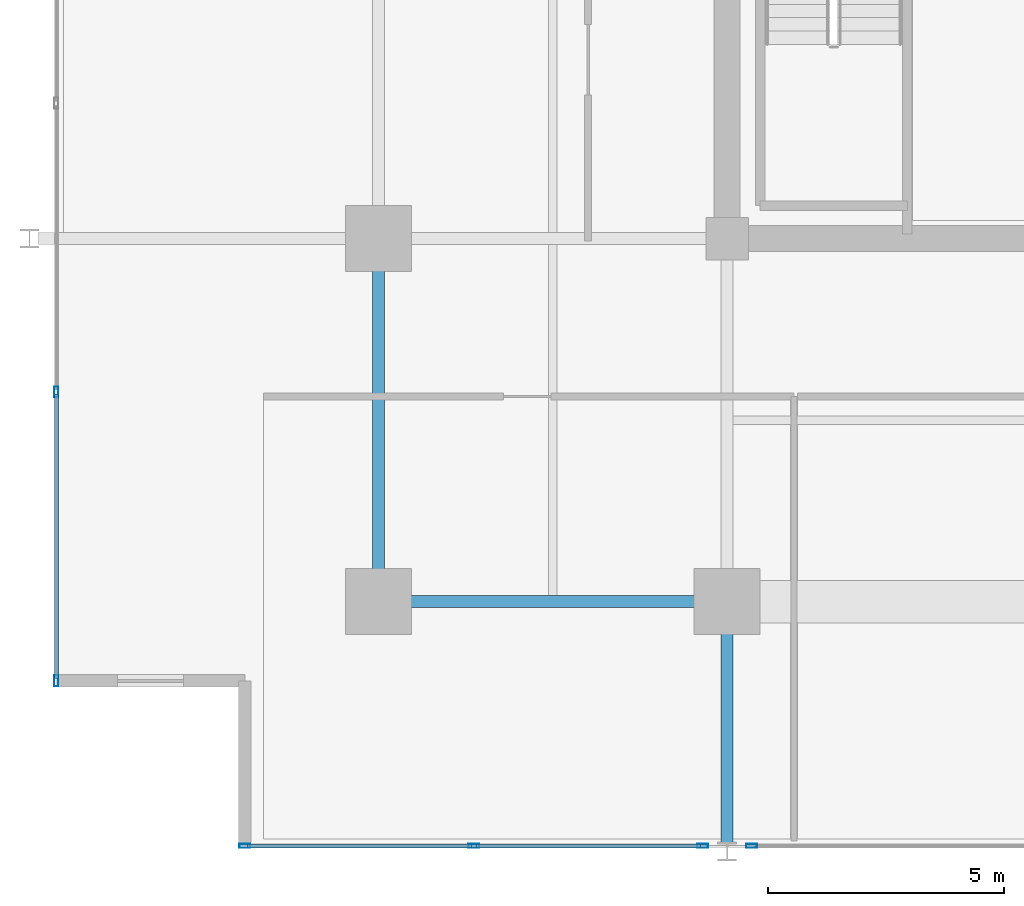
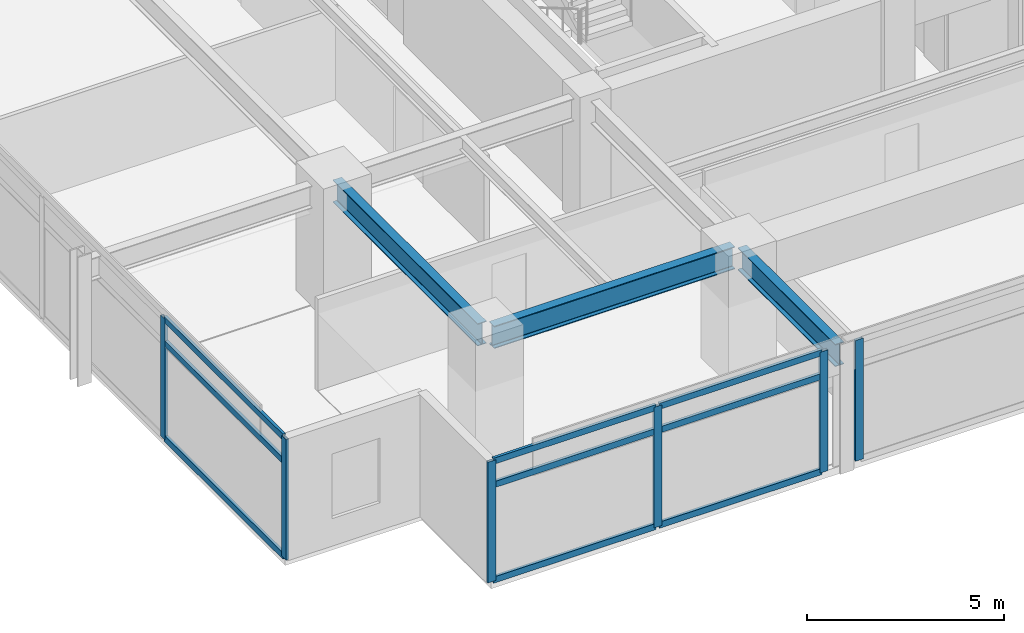
# One storey, part 2 of 20: 15 members, 3 beams, 3 elements without a shape of their own.
"""IFC4 building model written with IfcOpenShell, lengths in metres."""

from ifc_helpers import new_model, si_unit, direction, frame, origin, origin_2d, place, context, subcontext, project, spatial, hollow_rectangle, i_section, extrude, material, material_profile, profile_set, type_object, element, aggregate, save


model = new_model("IFC4")

# Units and contexts
model_context = context("Model", 3, precision=1e-05, world=origin(), true_north=direction((0.0, 1.0)))
body_context = subcontext(model_context, "Body", "Model", "MODEL_VIEW")
ifc_project = project(units=[si_unit("LENGTHUNIT", "METRE"), si_unit("AREAUNIT", "SQUARE_METRE"), si_unit("VOLUMEUNIT", "CUBIC_METRE"), si_unit("PLANEANGLEUNIT", "RADIAN"), si_unit("MASSUNIT", "GRAM", prefix="KILO")], contexts=[model_context])

# Site, building, storey
site_placement = place(None, origin())
site = spatial("IfcSite", under=ifc_project, at=site_placement, CompositionType="ELEMENT")
building_placement = place(site_placement, origin())
building = spatial("IfcBuilding", under=site, at=building_placement, Name="Kovane Verandah Tower", CompositionType="ELEMENT")
storey_placement = place(building_placement, frame((0.0, 0.0, 213.199951171875)))
storey = spatial("IfcBuildingStorey", under=building, at=storey_placement, Name="L49", CompositionType="ELEMENT", Elevation=213.199951171875)

# Beams
ifc_material_1 = material(Name="Steel S355", Category="steel")
ifc_material_profile_1 = material_profile(ifc_material_1, i_section(OverallWidth=0.255859375, OverallDepth=0.69287109375, WebThickness=0.014404296875, FlangeThickness=0.023681640625, FilletRadius=0.01513671875, at=origin_2d()), Name="UB686x254x170")
ifc_profile_set_1 = profile_set([ifc_material_profile_1], Name="Steel S355")
beam_type = type_object("IfcBeamType", Name="BM-UB686x170", PredefinedType="BEAM", material=ifc_profile_set_1)
beam_1_placement = place(storey_placement, frame((21.780029296875, 10.800048828125, 3.428466796875), z_axis=(1.0, 0.0, 0.0), x_axis=(0.0, 1.0, 0.0)))
element("IfcBeam", 1, at=beam_1_placement, inside=storey, type_object=beam_type, Name="L49 Primary Tower Girder G-RS1", PredefinedType="BEAM", context=body_context, shape_type="SweptSolid", body=[
    extrude(i_section(OverallWidth=0.255859375, OverallDepth=0.69287109375, WebThickness=0.014404296875, FlangeThickness=0.023681640625, FilletRadius=0.01513671875, at=origin_2d()), origin(), (0.0, 0.0, 1.0), 7.0400390625),
])
beam_2_placement = place(storey_placement, frame((21.60009765625, 10.97998046875, 3.428466796875), z_axis=(0.0, 1.0, 0.0), x_axis=(-1.0, 0.0, 0.0)))
element("IfcBeam", 2, at=beam_2_placement, inside=storey, type_object=beam_type, Name="L49 Primary Tower Girder G-RW1", PredefinedType="BEAM", context=body_context, shape_type="SweptSolid", body=[
    extrude(i_section(OverallWidth=0.255859375, OverallDepth=0.69287109375, WebThickness=0.014404296875, FlangeThickness=0.023681640625, FilletRadius=0.01513671875, at=origin_2d()), origin(), (0.0, 0.0, 1.0), 7.340087890625),
])
beam_3_placement = place(storey_placement, frame((29.0, 10.6201171875, 3.41357421875), z_axis=(0.0, -1.0, 0.0), x_axis=(1.0, 0.0, 0.0)))
element("IfcBeam", 3, at=beam_3_placement, inside=storey, type_object=beam_type, Name="L49 Primary Tower Girder G-VS1", PredefinedType="BEAM", context=body_context, shape_type="SweptSolid", body=[
    extrude(i_section(OverallWidth=0.255859375, OverallDepth=0.69287109375, WebThickness=0.014404296875, FlangeThickness=0.023681640625, FilletRadius=0.01513671875, at=origin_2d()), origin(), (0.0, 0.0, 1.0), 4.940185546875),
])

# Curtain wall, members
ifc_material_2 = material(Name="Champagne Anodised Aluminium Frame with Low-E Clear Laminated Glass", Category="aluminium")
curtain_wall_type = type_object("IfcCurtainWallType", Name="CW-SYS-03-MID", PredefinedType="NOTDEFINED", material=ifc_material_2)
curtain_wall_1_placement = place(storey_placement, origin())
curtain_wall_1 = element("IfcCurtainWall", 4, at=curtain_wall_1_placement, inside=storey, type_object=curtain_wall_type, Name="L49 S Unitised Curtain Wall-1", PredefinedType="NOTDEFINED")
ifc_material_3 = material(Name="Champagne Anodised Aluminium 6063-T6", Category="aluminium")
ifc_material_profile_2 = material_profile(ifc_material_3, hollow_rectangle(XDim=0.0849609375, YDim=0.22998046875, WallThickness=0.00390625, at=origin_2d()), Name="AL85x230x4")
ifc_profile_set_2 = profile_set([ifc_material_profile_2], Name="Champagne Anodised Aluminium 6063-T6")
member_type_1 = type_object("IfcMemberType", Name="CW-MUL-85x230", PredefinedType="MULLION", material=ifc_profile_set_2)
member_1_placement = place(storey_placement, frame((18.768310546875, 5.619384765625, 0.02001953125), z_axis=(0.0, 0.0, 1.0), x_axis=(0.0, -1.0, 0.0)))
member_1 = element("IfcMember", 5, at=member_1_placement, type_object=member_type_1, Name="L49 S Unitised Curtain Wall-1 Mullion 1", PredefinedType="MULLION", context=body_context, shape_type="SweptSolid", body=[
    extrude(hollow_rectangle(XDim=0.0849609375, YDim=0.22998046875, WallThickness=0.00390625, at=origin_2d()), origin(), (0.0, 0.0, 1.0), 3.735107421875),
])
member_2_placement = place(storey_placement, frame((23.624267578125, 5.619384765625, 0.02001953125), z_axis=(0.0, 0.0, 1.0), x_axis=(0.0, -1.0, 0.0)))
member_2 = element("IfcMember", 6, at=member_2_placement, type_object=member_type_1, Name="L49 S Unitised Curtain Wall-1 Mullion 2", PredefinedType="MULLION", context=body_context, shape_type="SweptSolid", body=[
    extrude(hollow_rectangle(XDim=0.0849609375, YDim=0.22998046875, WallThickness=0.00390625, at=origin_2d()), origin(), (0.0, 0.0, 1.0), 3.735107421875),
])
member_3_placement = place(storey_placement, frame((28.47998046875, 5.619384765625, 0.02001953125), z_axis=(0.0, 0.0, 1.0), x_axis=(0.0, -1.0, 0.0)))
member_3 = element("IfcMember", 7, at=member_3_placement, type_object=member_type_1, Name="L49 S Unitised Curtain Wall-1 Mullion 3", PredefinedType="MULLION", context=body_context, shape_type="SweptSolid", body=[
    extrude(hollow_rectangle(XDim=0.0849609375, YDim=0.22998046875, WallThickness=0.00390625, at=origin_2d()), origin(), (0.0, 0.0, 1.0), 3.735107421875),
])

# Curtain wall, member
curtain_wall_2_placement = place(storey_placement, origin())
curtain_wall_2 = element("IfcCurtainWall", 8, at=curtain_wall_2_placement, inside=storey, type_object=curtain_wall_type, Name="L49 S Unitised Curtain Wall-2", PredefinedType="NOTDEFINED")
member_4_placement = place(storey_placement, frame((29.52001953125, 5.619384765625, 0.02001953125), z_axis=(0.0, 0.0, 1.0), x_axis=(0.0, -1.0, 0.0)))
member_4 = element("IfcMember", 9, at=member_4_placement, type_object=member_type_1, Name="L49 S Unitised Curtain Wall-2 Mullion 1", PredefinedType="MULLION", context=body_context, shape_type="SweptSolid", body=[
    extrude(hollow_rectangle(XDim=0.0849609375, YDim=0.22998046875, WallThickness=0.00390625, at=origin_2d()), origin(), (0.0, 0.0, 1.0), 3.735107421875),
])
aggregate(curtain_wall_2, [member_4])

# Curtain wall, members
curtain_wall_3_placement = place(storey_placement, origin())
curtain_wall_3 = element("IfcCurtainWall", 10, at=curtain_wall_3_placement, inside=storey, type_object=curtain_wall_type, Name="L49 W Unitised Curtain Wall", PredefinedType="NOTDEFINED")
member_5_placement = place(storey_placement, frame((14.768310546875, 15.246337890625, 0.02001953125), z_axis=(0.0, 0.0, 1.0), x_axis=(-1.0, 0.0, 0.0)))
member_5 = element("IfcMember", 11, at=member_5_placement, type_object=member_type_1, Name="L49 W Unitised Curtain Wall Mullion 6", PredefinedType="MULLION", context=body_context, shape_type="SweptSolid", body=[
    extrude(hollow_rectangle(XDim=0.0849609375, YDim=0.22998046875, WallThickness=0.00390625, at=origin_2d()), origin(), (0.0, 0.0, 1.0), 3.735107421875),
])
member_6_placement = place(storey_placement, frame((14.768310546875, 9.119384765625, 0.02001953125), z_axis=(0.0, 0.0, 1.0), x_axis=(-1.0, 0.0, 0.0)))
member_6 = element("IfcMember", 12, at=member_6_placement, type_object=member_type_1, Name="L49 W Unitised Curtain Wall Mullion 7", PredefinedType="MULLION", context=body_context, shape_type="SweptSolid", body=[
    extrude(hollow_rectangle(XDim=0.0849609375, YDim=0.22998046875, WallThickness=0.00390625, at=origin_2d()), origin(), (0.0, 0.0, 1.0), 3.735107421875),
])

# Member
ifc_material_profile_3 = material_profile(ifc_material_3, hollow_rectangle(XDim=0.0849609375, YDim=0.18994140625, WallThickness=0.00390625, at=origin_2d()), Name="AL85x190x4")
ifc_profile_set_3 = profile_set([ifc_material_profile_3], Name="Champagne Anodised Aluminium 6063-T6")
member_type_2 = type_object("IfcMemberType", Name="CW-TRN-85x190", PredefinedType="USERDEFINED", material=ifc_profile_set_3)
member_7_placement = place(storey_placement, frame((18.818359375, 5.619384765625, 0.050048828125), z_axis=(1.0, 0.0, 0.0), x_axis=(0.0, 1.0, 0.0)))
member_7 = element("IfcMember", 13, at=member_7_placement, type_object=member_type_2, Name="L49 S Unitised Curtain Wall-1 Transom TB Bay 1", ObjectType="TRANSOM", PredefinedType="USERDEFINED", context=body_context, shape_type="SweptSolid", body=[
    extrude(hollow_rectangle(XDim=0.0849609375, YDim=0.18994140625, WallThickness=0.00390625, at=origin_2d()), origin(), (0.0, 0.0, 1.0), 4.755859375),
])

member_8_placement = place(storey_placement, frame((18.818359375, 5.619384765625, 2.9951171875), z_axis=(1.0, 0.0, 0.0), x_axis=(0.0, 1.0, 0.0)))
member_8 = element("IfcMember", 14, at=member_8_placement, type_object=member_type_2, Name="L49 S Unitised Curtain Wall-1 Transom TM Bay 1", ObjectType="TRANSOM", PredefinedType="USERDEFINED", context=body_context, shape_type="SweptSolid", body=[
    extrude(hollow_rectangle(XDim=0.0849609375, YDim=0.18994140625, WallThickness=0.00390625, at=origin_2d()), origin(), (0.0, 0.0, 1.0), 4.755859375),
])

member_9_placement = place(storey_placement, frame((18.818359375, 5.619384765625, 3.72509765625), z_axis=(1.0, 0.0, 0.0), x_axis=(0.0, 1.0, 0.0)))
member_9 = element("IfcMember", 15, at=member_9_placement, type_object=member_type_2, Name="L49 S Unitised Curtain Wall-1 Transom TT Bay 1", ObjectType="TRANSOM", PredefinedType="USERDEFINED", context=body_context, shape_type="SweptSolid", body=[
    extrude(hollow_rectangle(XDim=0.0849609375, YDim=0.18994140625, WallThickness=0.00390625, at=origin_2d()), origin(), (0.0, 0.0, 1.0), 4.755859375),
])

member_10_placement = place(storey_placement, frame((23.67431640625, 5.619384765625, 0.050048828125), z_axis=(1.0, 0.0, 0.0), x_axis=(0.0, 1.0, 0.0)))
member_10 = element("IfcMember", 16, at=member_10_placement, type_object=member_type_2, Name="L49 S Unitised Curtain Wall-1 Transom TB Bay 2", ObjectType="TRANSOM", PredefinedType="USERDEFINED", context=body_context, shape_type="SweptSolid", body=[
    extrude(hollow_rectangle(XDim=0.0849609375, YDim=0.18994140625, WallThickness=0.00390625, at=origin_2d()), origin(), (0.0, 0.0, 1.0), 4.755615234375),
])

member_11_placement = place(storey_placement, frame((23.67431640625, 5.619384765625, 2.9951171875), z_axis=(1.0, 0.0, 0.0), x_axis=(0.0, 1.0, 0.0)))
member_11 = element("IfcMember", 17, at=member_11_placement, type_object=member_type_2, Name="L49 S Unitised Curtain Wall-1 Transom TM Bay 2", ObjectType="TRANSOM", PredefinedType="USERDEFINED", context=body_context, shape_type="SweptSolid", body=[
    extrude(hollow_rectangle(XDim=0.0849609375, YDim=0.18994140625, WallThickness=0.00390625, at=origin_2d()), origin(), (0.0, 0.0, 1.0), 4.755615234375),
])

member_12_placement = place(storey_placement, frame((23.67431640625, 5.619384765625, 3.72509765625), z_axis=(1.0, 0.0, 0.0), x_axis=(0.0, 1.0, 0.0)))
member_12 = element("IfcMember", 18, at=member_12_placement, type_object=member_type_2, Name="L49 S Unitised Curtain Wall-1 Transom TT Bay 2", ObjectType="TRANSOM", PredefinedType="USERDEFINED", context=body_context, shape_type="SweptSolid", body=[
    extrude(hollow_rectangle(XDim=0.0849609375, YDim=0.18994140625, WallThickness=0.00390625, at=origin_2d()), origin(), (0.0, 0.0, 1.0), 4.755615234375),
])

aggregate(curtain_wall_1, [member_1, member_2, member_3, member_7, member_8, member_9, member_10, member_11, member_12])

member_13_placement = place(storey_placement, frame((14.768310546875, 15.1962890625, 0.050048828125), z_axis=(0.0, -1.0, 0.0), x_axis=(1.0, 0.0, 0.0)))
member_13 = element("IfcMember", 19, at=member_13_placement, type_object=member_type_2, Name="L49 W Unitised Curtain Wall Transom TB Bay 6", ObjectType="TRANSOM", PredefinedType="USERDEFINED", context=body_context, shape_type="SweptSolid", body=[
    extrude(hollow_rectangle(XDim=0.0849609375, YDim=0.18994140625, WallThickness=0.00390625, at=origin_2d()), origin(), (0.0, 0.0, 1.0), 6.02685546875),
])

member_14_placement = place(storey_placement, frame((14.768310546875, 15.1962890625, 2.9951171875), z_axis=(0.0, -1.0, 0.0), x_axis=(1.0, 0.0, 0.0)))
member_14 = element("IfcMember", 20, at=member_14_placement, type_object=member_type_2, Name="L49 W Unitised Curtain Wall Transom TM Bay 6", ObjectType="TRANSOM", PredefinedType="USERDEFINED", context=body_context, shape_type="SweptSolid", body=[
    extrude(hollow_rectangle(XDim=0.0849609375, YDim=0.18994140625, WallThickness=0.00390625, at=origin_2d()), origin(), (0.0, 0.0, 1.0), 6.02685546875),
])

member_15_placement = place(storey_placement, frame((14.768310546875, 15.1962890625, 3.72509765625), z_axis=(0.0, -1.0, 0.0), x_axis=(1.0, 0.0, 0.0)))
member_15 = element("IfcMember", 21, at=member_15_placement, type_object=member_type_2, Name="L49 W Unitised Curtain Wall Transom TT Bay 6", ObjectType="TRANSOM", PredefinedType="USERDEFINED", context=body_context, shape_type="SweptSolid", body=[
    extrude(hollow_rectangle(XDim=0.0849609375, YDim=0.18994140625, WallThickness=0.00390625, at=origin_2d()), origin(), (0.0, 0.0, 1.0), 6.02685546875),
])

aggregate(curtain_wall_3, [member_5, member_6, member_13, member_14, member_15])

save(model, "model.ifc")
